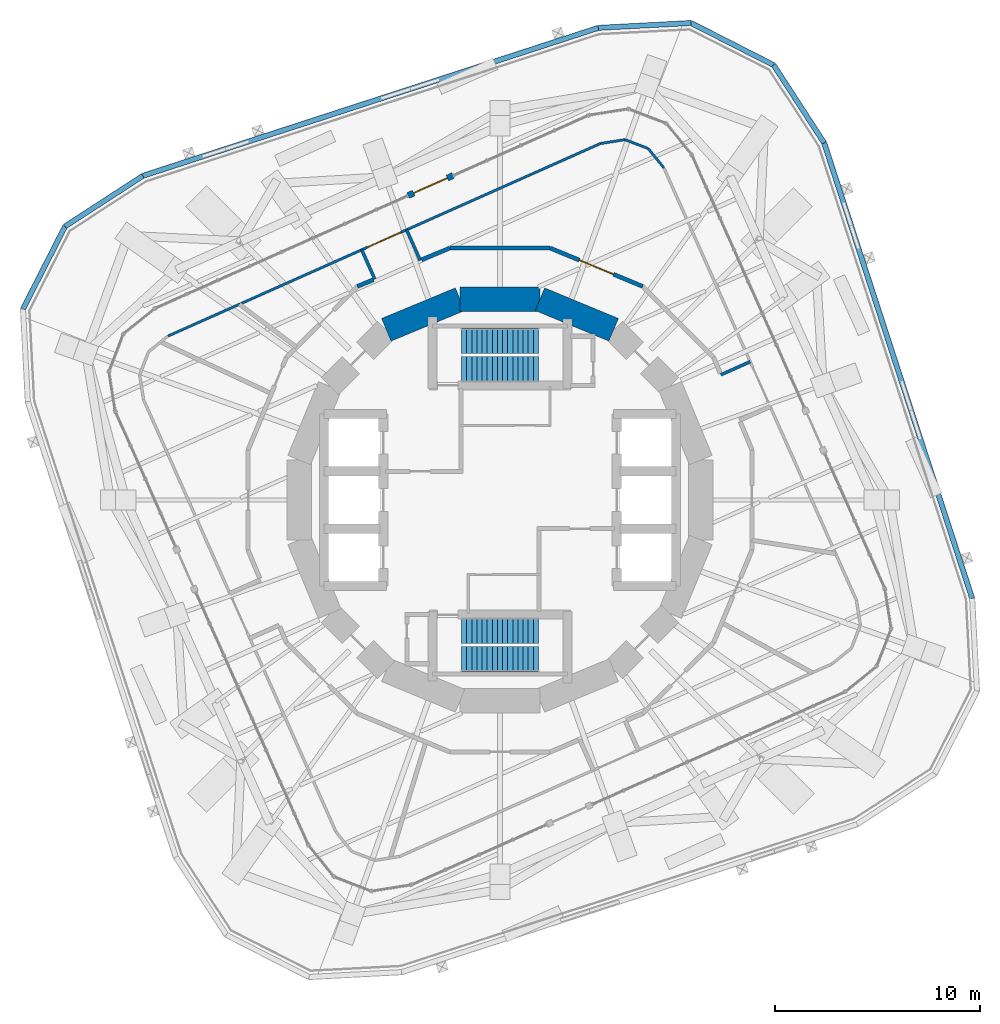
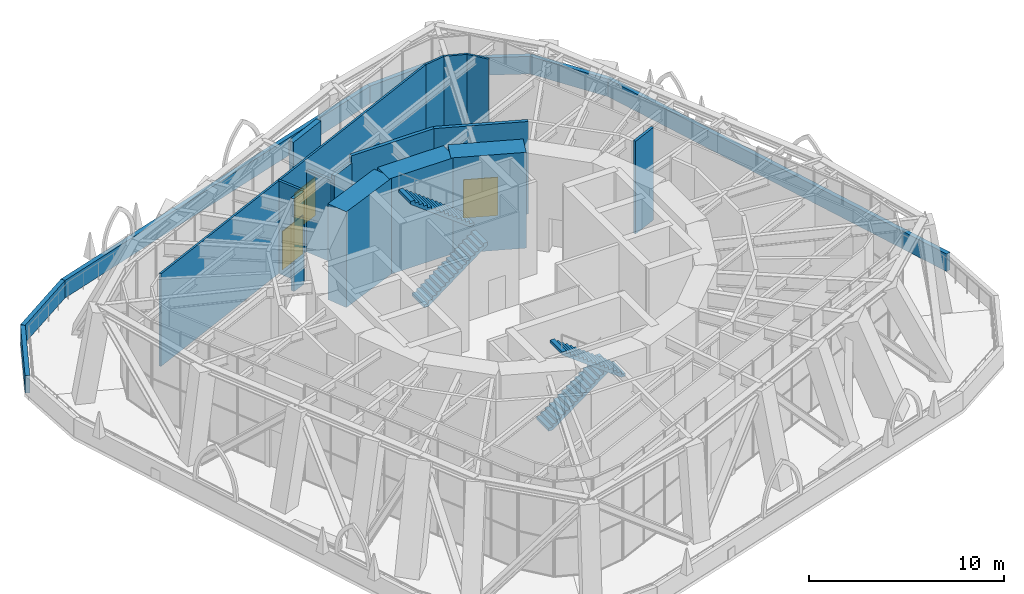
# One storey, part 15 of 18: 22 walls, 4 stair flights, 3 doors, 3 openings, 2 elements without a shape of their own.
"""IFC4 building model written with IfcOpenShell, lengths in metres."""

from ifc_helpers import new_model, si_unit, direction, frame, frame_2d, origin, place, context, subcontext, project, spatial, polyline, rectangle, outline, extrude, material, layer, layer_set, type_object, element, fill, aggregate, save


model = new_model("IFC4")

# Units and contexts
model_context = context("Model", 3, precision=1e-05, world=origin(), true_north=direction((0.0, 1.0)))
body_context = subcontext(model_context, "Body", "Model", "MODEL_VIEW")
ifc_project = project(units=[si_unit("LENGTHUNIT", "METRE"), si_unit("AREAUNIT", "SQUARE_METRE"), si_unit("VOLUMEUNIT", "CUBIC_METRE"), si_unit("PLANEANGLEUNIT", "RADIAN"), si_unit("MASSUNIT", "GRAM", prefix="KILO")], contexts=[model_context])

# Site, building, storey
site_placement = place(None, origin())
site = spatial("IfcSite", under=ifc_project, at=site_placement, CompositionType="ELEMENT")
building_placement = place(site_placement, origin())
building = spatial("IfcBuilding", under=site, at=building_placement, Name="Nakasero Lantern House", CompositionType="ELEMENT")
storey_placement = place(building_placement, frame((0.0, 0.0, 176.449951171875)))
storey = spatial("IfcBuildingStorey", under=building, at=storey_placement, Name="L43", CompositionType="ELEMENT", Elevation=176.449951171875)

# Walls
ifc_material_1 = material(Name="Concrete C50/60", Category="concrete")
ifc_layer_1 = layer(ifc_material_1, 1.199951171875)
ifc_layer_set_1 = layer_set([ifc_layer_1], Name="Core wall 1200")
wall_type_1 = type_object("IfcWallType", Name="Core wall 1200", PredefinedType="SHEAR", material=ifc_layer_set_1)
for number, where, z_axis, x_axis, name in (
    (1, (5.5556640625, 8.314697265625, 0.0), (0.0, 0.0, 1.0), (-0.923876507187, 0.382690736062, 0.0), "Core wall L43 facet 3"),
    (2, (1.950927734375, 9.807861328125, 0.0), (0.0, 0.0, 1.0), (-1.0, 0.0, 0.0), "Core wall L43 facet 4"),
    (3, (-1.950927734375, 9.807861328125, 0.0), (0.0, 0.0, 1.0), (-0.923876507187, -0.382690736062, 0.0), "Core wall L43 facet 5"),
):
    element("IfcWall", number, at=place(storey_placement, frame(where, z_axis=z_axis, x_axis=x_axis)), inside=storey, type_object=wall_type_1, Name=name, PredefinedType="SHEAR", context=body_context, shape_type="SweptSolid", body=[
        extrude(rectangle(XDim=3.90185546875, YDim=1.199951171875, at=frame_2d((1.950927734375, 0.0))), origin(), (0.0, 0.0, 1.0), 6.0),
    ])
ifc_material_2 = material(Name="Blockwork", Category="masonry")
ifc_layer_2 = layer(ifc_material_2, 0.199951171875)
ifc_layer_set_2 = layer_set([ifc_layer_2], Name="Corridor wall 200")
wall_type_2 = type_object("IfcWallType", Name="Corridor wall 200", PredefinedType="PARTITIONING", material=ifc_layer_set_2)
wall_1_placement = place(storey_placement, frame((-6.971923828125, 10.43408203125, 0.0), z_axis=(0.0, 0.0, 1.0), x_axis=(0.923915396123, 0.382596838469, 0.0)))
element("IfcWall", 4, at=wall_1_placement, inside=storey, type_object=wall_type_2, Name="Corridor wall L43 TC13", PredefinedType="PARTITIONING", context=body_context, shape_type="SweptSolid", body=[
    extrude(rectangle(XDim=0.8505859375, YDim=0.199951171875, at=frame_2d((0.42529296875, 0.0))), origin(), (0.0, 0.0, 1.0), 5.800048828125),
])
wall_2_placement = place(storey_placement, frame((-3.829345703125, 11.73583984375, 0.0), z_axis=(0.0, 0.0, 1.0), x_axis=(0.923891433925, 0.382654698548, 0.0)))
element("IfcWall", 5, at=wall_2_placement, inside=storey, type_object=wall_type_2, Name="Corridor wall L43 TC14", PredefinedType="PARTITIONING", context=body_context, shape_type="SweptSolid", body=[
    extrude(rectangle(XDim=1.494873046875, YDim=0.199951171875, at=frame_2d((0.74755859375, 0.0))), origin(), (0.0, 0.0, 1.0), 5.3466796875),
])
wall_3_placement = place(storey_placement, frame((-2.4482421875, 12.307861328125, 0.0), z_axis=(0.0, 0.0, 1.0), x_axis=(1.0, 0.0, 0.0)))
element("IfcWall", 6, at=wall_3_placement, inside=storey, type_object=wall_type_2, Name="Corridor wall L43 TC15", PredefinedType="PARTITIONING", context=body_context, shape_type="SweptSolid", body=[
    extrude(rectangle(XDim=4.896484375, YDim=0.199951171875, at=frame_2d((2.4482421875, 0.0))), origin(), (0.0, 0.0, 1.0), 5.800048828125),
])

# Wall, opening, door
wall_4_placement = place(storey_placement, frame((2.4482421875, 12.307861328125, 0.0), z_axis=(0.0, 0.0, 1.0), x_axis=(0.923878881965, -0.382685002919, 0.0)))
wall_4 = element("IfcWall", 7, at=wall_4_placement, inside=storey, type_object=wall_type_2, Name="Corridor wall L43 TC16", PredefinedType="PARTITIONING", context=body_context, shape_type="SweptSolid", body=[
    extrude(rectangle(XDim=4.896484375, YDim=0.199951171875, at=frame_2d((2.4482421875, 0.0))), origin(), (0.0, 0.0, 1.0), 5.800048828125),
])
opening_1_placement = place(wall_4_placement, frame((1.548095703125, 0.0, 0.0)))
opening_1 = element("IfcOpeningElement", 8, at=opening_1_placement, cuts=wall_4, Name="Opening D12", PredefinedType="OPENING", context=body_context, shape_type="SweptSolid", body=[
    extrude(rectangle(XDim=1.800048828125, YDim=2.39990234375, at=frame_2d((0.89990234375, 1.199951171875))), frame((0.0, 0.119873046875, 0.0), z_axis=(0.0, -1.0, 0.0), x_axis=(1.0, 0.0, 0.0)), (0.0, 0.0, 1.0), 0.239990234375),
])
ifc_material_3 = material(Name="Timber C24", Category="wood")
door_type_1 = type_object("IfcDoorType", Name="Room doors FD30S 1800", OperationType="DOUBLE_DOOR_SINGLE_SWING", PredefinedType="DOOR", material=ifc_material_3)
door_1_placement = place(opening_1_placement, origin())
door_1 = element("IfcDoor", 9, at=door_1_placement, inside=storey, type_object=door_type_1, Name="Door L43 TDR00", OperationType="DOUBLE_DOOR_SINGLE_SWING", OverallHeight=2.39990234375, OverallWidth=1.800048828125, PredefinedType="DOOR", context=body_context, shape_type="SweptSolid", body=[
    extrude(rectangle(XDim=1.800048828125, YDim=2.39990234375, at=frame_2d((0.89990234375, 1.199951171875))), frame((0.0, 0.02490234375, 0.0), z_axis=(0.0, -1.0, 0.0), x_axis=(1.0, 0.0, 0.0)), (0.0, 0.0, 1.0), 0.050048828125),
])
fill(opening_1, door_1)

ifc_material_4 = material(Name="Concrete C40/50", Category="concrete")
ifc_layer_3 = layer(ifc_material_4, 0.300048828125)
ifc_layer_set_3 = layer_set([ifc_layer_3], Name="Entrance portal wall 300")
wall_type_3 = type_object("IfcWallType", Name="Entrance portal wall 300", PredefinedType="SOLIDWALL", material=ifc_layer_set_3)
wall_5_placement = place(storey_placement, frame((-2.295166015625, 15.849853515625, 0.0), z_axis=(0.0, 0.0, 1.0), x_axis=(-0.913513461389, -0.406808500233, 0.0)))
wall_5 = element("IfcWall", 10, at=wall_5_placement, inside=storey, type_object=wall_type_3, Name="Sky lounge door wall L43 1", PredefinedType="SOLIDWALL", context=body_context, shape_type="SweptSolid", body=[
    extrude(rectangle(XDim=2.39990234375, YDim=0.300048828125, at=frame_2d((1.199951171875, 0.0))), origin(), (0.0, 0.0, 1.0), 5.800048828125),
])
opening_2_placement = place(wall_5_placement, frame((0.300048828125, 0.0, 0.0)))
opening_2 = element("IfcOpeningElement", 11, at=opening_2_placement, cuts=wall_5, Name="Opening D10", PredefinedType="OPENING", context=body_context, shape_type="SweptSolid", body=[
    extrude(rectangle(XDim=1.800048828125, YDim=2.39990234375, at=frame_2d((0.89990234375, 1.199951171875))), frame((0.0, 0.169921875, 0.0), z_axis=(0.0, -1.0, 0.0), x_axis=(1.0, 0.0, 0.0)), (0.0, 0.0, 1.0), 0.340087890625),
])
ifc_material_5 = material(Name="Aluminium 6063-T6 and glass", Category="aluminium")
door_type_2 = type_object("IfcDoorType", Name="Sky garden doors 1800x2400", OperationType="DOUBLE_DOOR_SINGLE_SWING", PredefinedType="DOOR", material=ifc_material_5)
door_2_placement = place(opening_2_placement, origin())
door_2 = element("IfcDoor", 12, at=door_2_placement, inside=storey, type_object=door_type_2, Name="Sky garden door L43 1", OperationType="DOUBLE_DOOR_SINGLE_SWING", OverallHeight=2.39990234375, OverallWidth=1.800048828125, PredefinedType="DOOR", context=body_context, shape_type="SweptSolid", body=[
    extrude(rectangle(XDim=1.800048828125, YDim=2.39990234375, at=frame_2d((0.89990234375, 1.199951171875))), frame((0.0, 0.02490234375, 0.0), z_axis=(0.0, -1.0, 0.0), x_axis=(1.0, 0.0, 0.0)), (0.0, 0.0, 1.0), 0.050048828125),
])
fill(opening_2, door_2)

# Walls
ifc_material_6 = material(Name="Aluminium 6063-T6 and glass", Category="aluminium")
ifc_layer_4 = layer(ifc_material_6, 0.1201171875)
ifc_layer_set_4 = layer_set([ifc_layer_4], Name="Glazed screen 120")
wall_type_4 = type_object("IfcWallType", Name="Glazed screen 120", PredefinedType="PARTITIONING", material=ifc_layer_set_4)
wall_6_placement = place(storey_placement, frame((8.007080078125, 16.22216796875, 0.0), z_axis=(0.0, 0.0, 1.0), x_axis=(-0.629284812999, 0.777174770646, 0.0)))
element("IfcWall", 13, at=wall_6_placement, inside=storey, type_object=wall_type_4, Name="Glazed screen L43 WG0C1", PredefinedType="PARTITIONING", context=body_context, shape_type="SweptSolid", body=[
    extrude(rectangle(XDim=1.216552734375, YDim=0.1201171875, at=frame_2d((0.6083984375, 0.0))), origin(), (0.0, 0.0, 1.0), 5.800048828125),
])
wall_7_placement = place(storey_placement, frame((7.241455078125, 17.167724609375, 0.0), z_axis=(0.0, 0.0, 1.0), x_axis=(-0.933604039007, 0.358306430795, 0.0)))
element("IfcWall", 14, at=wall_7_placement, inside=storey, type_object=wall_type_4, Name="Glazed screen L43 WG0C2", PredefinedType="PARTITIONING", context=body_context, shape_type="SweptSolid", body=[
    extrude(rectangle(XDim=1.21630859375, YDim=0.1201171875, at=frame_2d((0.608154296875, 0.0))), origin(), (0.0, 0.0, 1.0), 5.800048828125),
])
wall_8_placement = place(storey_placement, frame((6.10595703125, 17.603515625, 0.0), z_axis=(0.0, 0.0, 1.0), x_axis=(-0.987705952118, -0.156323229724, 0.0)))
element("IfcWall", 15, at=wall_8_placement, inside=storey, type_object=wall_type_4, Name="Glazed screen L43 WG0C3", PredefinedType="PARTITIONING", context=body_context, shape_type="SweptSolid", body=[
    extrude(rectangle(XDim=1.216552734375, YDim=0.1201171875, at=frame_2d((0.6083984375, 0.0))), origin(), (0.0, 0.0, 1.0), 5.800048828125),
])

# Wall, opening, door
wall_9_placement = place(storey_placement, frame((4.904296875, 17.413330078125, 0.0), z_axis=(0.0, 0.0, 1.0), x_axis=(-0.91354317875, -0.406741761514, 0.0)))
wall_9 = element("IfcWall", 16, at=wall_9_placement, inside=storey, type_object=wall_type_4, Name="Glazed screen L43 WG1S", PredefinedType="PARTITIONING", context=body_context, shape_type="SweptSolid", body=[
    extrude(rectangle(XDim=23.125732421875, YDim=0.1201171875, at=frame_2d((11.56298828125, 0.0))), origin(), (0.0, 0.0, 1.0), 5.800048828125),
])
opening_3_placement = place(wall_9_placement, frame((10.6630859375, 0.0, 0.0)))
opening_3 = element("IfcOpeningElement", 17, at=opening_3_placement, cuts=wall_9, Name="Opening D18", PredefinedType="OPENING", context=body_context, shape_type="SweptSolid", body=[
    extrude(rectangle(XDim=1.800048828125, YDim=2.39990234375, at=frame_2d((0.89990234375, 1.199951171875))), frame((0.0, 0.080078125, 0.0), z_axis=(0.0, -1.0, 0.0), x_axis=(1.0, 0.0, 0.0)), (0.0, 0.0, 1.0), 0.16015625),
])
ifc_material_7 = material(Name="Aluminium 6063-T6 and glass", Category="aluminium")
door_type_3 = type_object("IfcDoorType", Name="Glazed screen door 1800", OperationType="DOUBLE_DOOR_SINGLE_SWING", PredefinedType="DOOR", material=ifc_material_7)
door_3_placement = place(opening_3_placement, origin())
door_3 = element("IfcDoor", 18, at=door_3_placement, inside=storey, type_object=door_type_3, Name="Door L43 DW1", OperationType="DOUBLE_DOOR_SINGLE_SWING", OverallHeight=2.39990234375, OverallWidth=1.800048828125, PredefinedType="DOOR", context=body_context, shape_type="SweptSolid", body=[
    extrude(rectangle(XDim=1.800048828125, YDim=2.39990234375, at=frame_2d((0.89990234375, 1.199951171875))), frame((0.0, 0.02490234375, 0.0), z_axis=(0.0, -1.0, 0.0), x_axis=(1.0, 0.0, 0.0)), (0.0, 0.0, 1.0), 0.050048828125),
])
fill(opening_3, door_3)

# Walls
ifc_material_8 = material(Name="Concrete C35/45", Category="concrete")
ifc_layer_5 = layer(ifc_material_8, 0.25)
ifc_layer_set_5 = layer_set([ifc_layer_5], Name="Parapet 250")
wall_type_5 = type_object("IfcWallType", Name="Parapet 250", PredefinedType="SOLIDWALL", material=ifc_layer_set_5)
wall_10_placement = place(storey_placement, frame((23.064697265625, -4.807861328125, 0.0), z_axis=(0.0, 0.0, 1.0), x_axis=(-0.30902591324, 0.951053618334, 0.0)))
element("IfcWall", 19, at=wall_10_placement, inside=storey, type_object=wall_type_5, Name="Parapet L43 PP0S", PredefinedType="SOLIDWALL", context=body_context, shape_type="SweptSolid", body=[
    extrude(rectangle(XDim=23.39990234375, YDim=0.25, at=frame_2d((11.699951171875, 0.0))), origin(), (0.0, 0.0, 1.0), 1.10009765625),
])
for number, where, z_axis, x_axis, name in (
    (20, (15.83349609375, 17.44677734375, 0.0), (0.0, 0.0, 1.0), (-0.544634002266, 0.838673836229, 0.0), "Parapet L43 PP0C1"),
    (21, (13.36669921875, 21.245361328125, 0.0), (0.0, 0.0, 1.0), (-0.890994655705, 0.454013792196, 0.0), "Parapet L43 PP0C2"),
    (22, (9.3310546875, 23.3017578125, 0.0), (0.0, 0.0, 1.0), (-0.998629419044, -0.052338164079, 0.0), "Parapet L43 PP0C3"),
):
    element("IfcWall", number, at=place(storey_placement, frame(where, z_axis=z_axis, x_axis=x_axis)), inside=storey, type_object=wall_type_5, Name=name, PredefinedType="SOLIDWALL", context=body_context, shape_type="SweptSolid", body=[
        extrude(rectangle(XDim=4.529296875, YDim=0.25, at=frame_2d((2.2646484375, 0.0))), origin(), (0.0, 0.0, 1.0), 1.10009765625),
    ])
wall_11_placement = place(storey_placement, frame((4.807861328125, 23.064697265625, 0.0), z_axis=(0.0, 0.0, 1.0), x_axis=(-0.951053618334, -0.30902591324, 0.0)))
element("IfcWall", 23, at=wall_11_placement, inside=storey, type_object=wall_type_5, Name="Parapet L43 PP1S", PredefinedType="SOLIDWALL", context=body_context, shape_type="SweptSolid", body=[
    extrude(rectangle(XDim=23.39990234375, YDim=0.25, at=frame_2d((11.699951171875, 0.0))), origin(), (0.0, 0.0, 1.0), 1.10009765625),
])
for number, where, z_axis, x_axis, name in (
    (24, (-17.44677734375, 15.83349609375, 0.0), (0.0, 0.0, 1.0), (-0.838673836229, -0.544634002266, 0.0), "Parapet L43 PP1C1"),
    (25, (-21.245361328125, 13.36669921875, 0.0), (0.0, 0.0, 1.0), (-0.454013792196, -0.890994655705, 0.0), "Parapet L43 PP1C2"),
):
    element("IfcWall", number, at=place(storey_placement, frame(where, z_axis=z_axis, x_axis=x_axis)), inside=storey, type_object=wall_type_5, Name=name, PredefinedType="SOLIDWALL", context=body_context, shape_type="SweptSolid", body=[
        extrude(rectangle(XDim=4.529296875, YDim=0.25, at=frame_2d((2.2646484375, 0.0))), origin(), (0.0, 0.0, 1.0), 1.10009765625),
    ])
ifc_material_9 = material(Name="Blockwork", Category="masonry")
ifc_layer_6 = layer(ifc_material_9, 0.14990234375)
ifc_layer_set_6 = layer_set([ifc_layer_6], Name="Party wall 150")
wall_type_6 = type_object("IfcWallType", Name="Party wall 150", PredefinedType="PARTITIONING", material=ifc_layer_set_6)
for number, where, z_axis, x_axis, name in (
    (26, (10.788330078125, 6.11669921875, 0.0), (0.0, 0.0, 1.0), (0.913535520181, 0.406758962246, 0.0), "Party wall L43 TP0L"),
    (27, (-6.11669921875, 10.788330078125, 0.0), (0.0, 0.0, 1.0), (-0.406758962246, 0.913535520181, 0.0), "Party wall L43 TP1L"),
):
    element("IfcWall", number, at=place(storey_placement, frame(where, z_axis=z_axis, x_axis=x_axis)), inside=storey, type_object=wall_type_6, Name=name, PredefinedType="PARTITIONING", context=body_context, shape_type="SweptSolid", body=[
        extrude(rectangle(XDim=1.569580078125, YDim=0.14990234375, at=frame_2d((0.78466796875, 0.0))), origin(), (0.0, 0.0, 1.0), 5.800048828125),
    ])
wall_12_placement = place(storey_placement, frame((-3.898681640625, 11.70703125, 0.0), z_axis=(0.0, 0.0, 1.0), x_axis=(-0.406804441844, 0.913515268671, 0.0)))
element("IfcWall", 28, at=wall_12_placement, inside=storey, type_object=wall_type_6, Name="Party wall L43 TP1R", PredefinedType="PARTITIONING", context=body_context, shape_type="SweptSolid", body=[
    extrude(rectangle(XDim=1.63232421875, YDim=0.14990234375, at=frame_2d((0.816162109375, 0.0))), origin(), (0.0, 0.0, 1.0), 5.116455078125),
])

# Stair, stair flights
ifc_material_10 = material(Name="Concrete C40/50", Category="concrete")
stair_type_1 = type_object("IfcStairType", Name="Escape stair ST1 32 risers", PredefinedType="HALF_TURN_STAIR", material=ifc_material_10)
stair_1_placement = place(storey_placement, origin())
stair_1 = element("IfcStair", 29, at=stair_1_placement, inside=storey, type_object=stair_type_1, Name="Escape stair ST1 L43", PredefinedType="HALF_TURN_STAIR")
ifc_material_11 = material(Name="Concrete C40/50", Category="concrete")
stair_flight_type = type_object("IfcStairFlightType", Name="Escape stair flight", PredefinedType="STRAIGHT", material=ifc_material_11)
stair_flight_1_placement = place(storey_placement, frame((-1.875, 6.375, 0.0), z_axis=(0.0, 0.0, 1.0), x_axis=(1.0, 0.0, 0.0)))
stair_flight_1 = element("IfcStairFlight", 30, at=stair_flight_1_placement, type_object=stair_flight_type, Name="ST1 flight 1", NumberOfRisers=16, NumberOfTreads=15, PredefinedType="STRAIGHT", RiserHeight=0.1875, TreadLength=0.25, context=body_context, shape_type="SweptSolid", body=[
    extrude(outline(polyline([(0.0, 0.0), (0.0, 0.1875), (0.25, 0.1875), (0.25, 0.375), (0.5, 0.375), (0.5, 0.5625), (0.75, 0.5625), (0.75, 0.75), (1.0, 0.75), (1.0, 0.9375), (1.25, 0.9375), (1.25, 1.125), (1.5, 1.125), (1.5, 1.3125), (1.75, 1.3125), (1.75, 1.5), (2.0, 1.5), (2.0, 1.6875), (2.25, 1.6875), (2.25, 1.875), (2.5, 1.875), (2.5, 2.0625), (2.75, 2.0625), (2.75, 2.25), (3.0, 2.25), (3.0, 2.4375), (3.25, 2.4375), (3.25, 2.625), (3.5, 2.625), (3.5, 2.8125), (3.75, 2.8125), (3.75, 3.0), (3.75, 2.625), (0.249755859375, 0.0), (0.0, 0.0)])), frame((0.0, 0.625, 0.0), z_axis=(0.0, -1.0, 0.0), x_axis=(1.0, 0.0, 0.0)), (0.0, 0.0, 1.0), 1.25),
])
stair_flight_2_placement = place(storey_placement, frame((1.875, 7.77490234375, 3.0), z_axis=(0.0, 0.0, 1.0), x_axis=(-1.0, 0.0, 0.0)))
stair_flight_2 = element("IfcStairFlight", 31, at=stair_flight_2_placement, type_object=stair_flight_type, Name="ST1 flight 2", NumberOfRisers=16, NumberOfTreads=15, PredefinedType="STRAIGHT", RiserHeight=0.1875, TreadLength=0.25, context=body_context, shape_type="SweptSolid", body=[
    extrude(outline(polyline([(0.0, 0.0), (0.0, 0.1875), (0.25, 0.1875), (0.25, 0.375), (0.5, 0.375), (0.5, 0.5625), (0.75, 0.5625), (0.75, 0.75), (1.0, 0.75), (1.0, 0.9375), (1.25, 0.9375), (1.25, 1.125), (1.5, 1.125), (1.5, 1.3125), (1.75, 1.3125), (1.75, 1.5), (2.0, 1.5), (2.0, 1.6875), (2.25, 1.6875), (2.25, 1.875), (2.5, 1.875), (2.5, 2.0625), (2.75, 2.0625), (2.75, 2.25), (3.0, 2.25), (3.0, 2.4375), (3.25, 2.4375), (3.25, 2.625), (3.5, 2.625), (3.5, 2.8125), (3.75, 2.8125), (3.75, 3.0), (3.75, 2.625), (0.249755859375, 0.0), (0.0, 0.0)])), frame((0.0, 0.625, 0.0), z_axis=(0.0, -1.0, 0.0), x_axis=(1.0, 0.0, 0.0)), (0.0, 0.0, 1.0), 1.25),
])
aggregate(stair_1, [stair_flight_1, stair_flight_2])

ifc_material_12 = material(Name="Concrete C40/50", Category="concrete")
stair_type_2 = type_object("IfcStairType", Name="Escape stair ST2 32 risers", PredefinedType="HALF_TURN_STAIR", material=ifc_material_12)
stair_2_placement = place(storey_placement, origin())
stair_2 = element("IfcStair", 32, at=stair_2_placement, inside=storey, type_object=stair_type_2, Name="Escape stair ST2 L43", PredefinedType="HALF_TURN_STAIR")
stair_flight_3_placement = place(storey_placement, frame((-1.875, -6.375, 0.0), z_axis=(0.0, 0.0, 1.0), x_axis=(1.0, 0.0, 0.0)))
stair_flight_3 = element("IfcStairFlight", 33, at=stair_flight_3_placement, type_object=stair_flight_type, Name="ST2 flight 1", NumberOfRisers=16, NumberOfTreads=15, PredefinedType="STRAIGHT", RiserHeight=0.1875, TreadLength=0.25, context=body_context, shape_type="SweptSolid", body=[
    extrude(outline(polyline([(0.0, 0.0), (0.0, 0.1875), (0.25, 0.1875), (0.25, 0.375), (0.5, 0.375), (0.5, 0.5625), (0.75, 0.5625), (0.75, 0.75), (1.0, 0.75), (1.0, 0.9375), (1.25, 0.9375), (1.25, 1.125), (1.5, 1.125), (1.5, 1.3125), (1.75, 1.3125), (1.75, 1.5), (2.0, 1.5), (2.0, 1.6875), (2.25, 1.6875), (2.25, 1.875), (2.5, 1.875), (2.5, 2.0625), (2.75, 2.0625), (2.75, 2.25), (3.0, 2.25), (3.0, 2.4375), (3.25, 2.4375), (3.25, 2.625), (3.5, 2.625), (3.5, 2.8125), (3.75, 2.8125), (3.75, 3.0), (3.75, 2.625), (0.249755859375, 0.0), (0.0, 0.0)])), frame((0.0, 0.625, 0.0), z_axis=(0.0, -1.0, 0.0), x_axis=(1.0, 0.0, 0.0)), (0.0, 0.0, 1.0), 1.25),
])
stair_flight_4_placement = place(storey_placement, frame((1.875, -7.77490234375, 3.0), z_axis=(0.0, 0.0, 1.0), x_axis=(-1.0, 0.0, 0.0)))
stair_flight_4 = element("IfcStairFlight", 34, at=stair_flight_4_placement, type_object=stair_flight_type, Name="ST2 flight 2", NumberOfRisers=16, NumberOfTreads=15, PredefinedType="STRAIGHT", RiserHeight=0.1875, TreadLength=0.25, context=body_context, shape_type="SweptSolid", body=[
    extrude(outline(polyline([(0.0, 0.0), (0.0, 0.1875), (0.25, 0.1875), (0.25, 0.375), (0.5, 0.375), (0.5, 0.5625), (0.75, 0.5625), (0.75, 0.75), (1.0, 0.75), (1.0, 0.9375), (1.25, 0.9375), (1.25, 1.125), (1.5, 1.125), (1.5, 1.3125), (1.75, 1.3125), (1.75, 1.5), (2.0, 1.5), (2.0, 1.6875), (2.25, 1.6875), (2.25, 1.875), (2.5, 1.875), (2.5, 2.0625), (2.75, 2.0625), (2.75, 2.25), (3.0, 2.25), (3.0, 2.4375), (3.25, 2.4375), (3.25, 2.625), (3.5, 2.625), (3.5, 2.8125), (3.75, 2.8125), (3.75, 3.0), (3.75, 2.625), (0.249755859375, 0.0), (0.0, 0.0)])), frame((0.0, 0.625, 0.0), z_axis=(0.0, -1.0, 0.0), x_axis=(1.0, 0.0, 0.0)), (0.0, 0.0, 1.0), 1.25),
])
aggregate(stair_2, [stair_flight_3, stair_flight_4])

save(model, "model.ifc")
